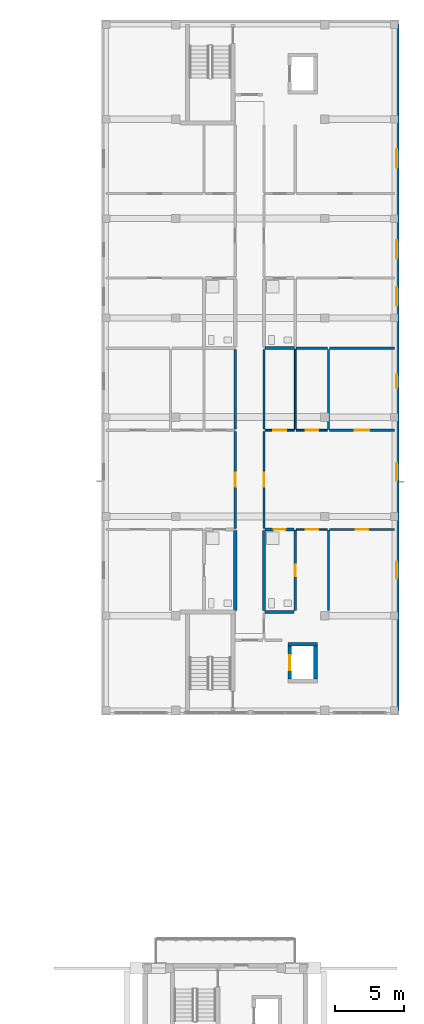
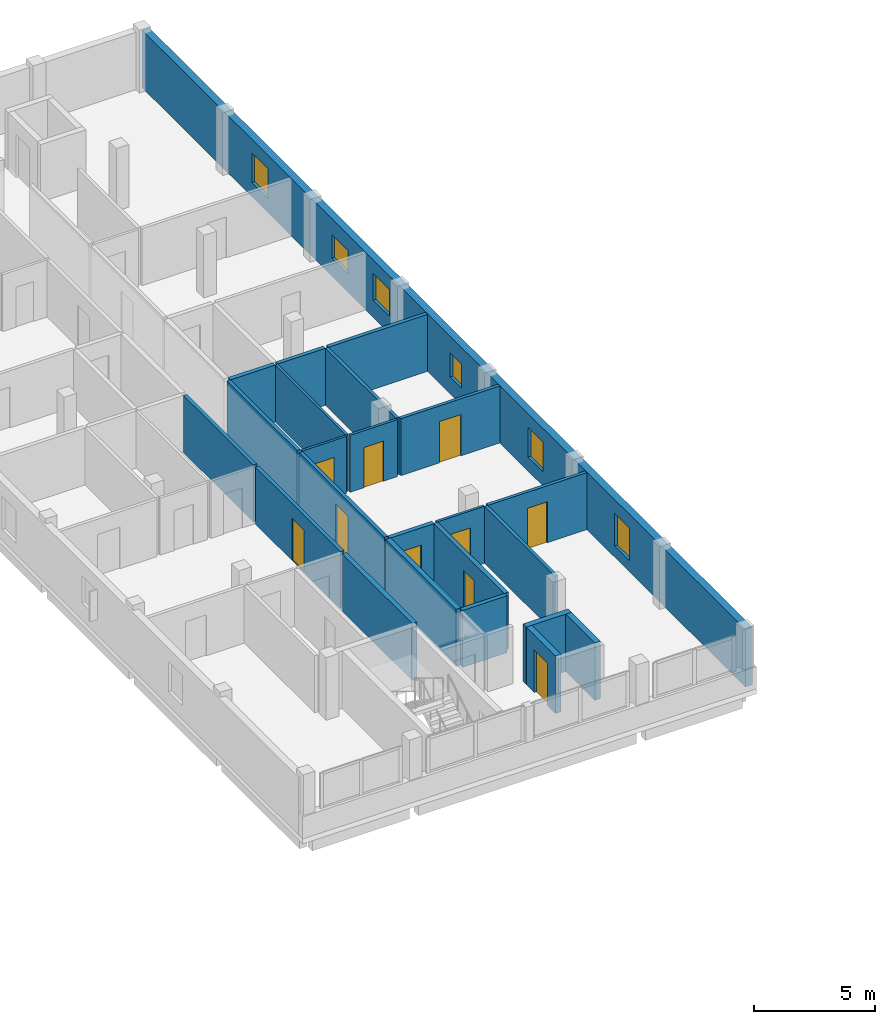
# One storey, part 20 of 34: 24 walls, 10 doors, 6 windows, 16 openings.
"""IFC4 building model written with IfcOpenShell, lengths in metres."""

from ifc_helpers import new_model, si_unit, derived_unit, direction, frame, frame_2d, origin, place, context, subcontext, project, spatial, rectangle, extrude, material, layer, layer_set, type_object, element, fill, save


model = new_model("IFC4")

# Units and contexts
model_context = context("Model", 3, precision=1e-05, world=origin(), true_north=direction((0.0, 1.0)))
body_context = subcontext(model_context, "Body", "Model", "MODEL_VIEW")
ifc_project = project(units=[si_unit("LENGTHUNIT", "METRE"), si_unit("AREAUNIT", "SQUARE_METRE"), si_unit("VOLUMEUNIT", "CUBIC_METRE"), si_unit("PLANEANGLEUNIT", "RADIAN"), si_unit("MASSUNIT", "GRAM", prefix="KILO"), derived_unit("THERMALTRANSMITTANCEUNIT", [(si_unit("MASSUNIT", "GRAM", prefix="KILO"), 1), (si_unit("TIMEUNIT", "SECOND"), -3), (si_unit("THERMODYNAMICTEMPERATUREUNIT", "KELVIN"), -1)])], contexts=[model_context])

# Site, building, storey
site_placement = place(None, origin())
site = spatial("IfcSite", under=ifc_project, at=site_placement, CompositionType="ELEMENT")
building_placement = place(site_placement, origin())
building = spatial("IfcBuilding", under=site, at=building_placement, Name="Ochrekiln Boulevard Commons", CompositionType="ELEMENT")
storey_placement = place(building_placement, frame((0.0, 0.0, 27.824951171875)))
storey = spatial("IfcBuildingStorey", under=building, at=storey_placement, Name="L08", CompositionType="ELEMENT", Elevation=27.824951171875)

# Wall, openings, windows
ifc_material_1 = material(Name="Iron-spot brown clinker brick masonry ASTM C216 Grade SW", Category="masonry")
ifc_layer_1 = layer(ifc_material_1, 0.340087890625)
ifc_layer_set_1 = layer_set([ifc_layer_1], Name="Iron-spot brown clinker brick masonry ASTM C216 Grade SW")
wall_type_1 = type_object("IfcWallType", Name="WL-EXT-IRON-340", PredefinedType="SOLIDWALL", material=ifc_layer_set_1)
wall_1_placement = place(storey_placement, frame((172.6298828125, 68.739990234375, 0.0), z_axis=(0.0, 0.0, 1.0), x_axis=(0.0, 1.0, 0.0)))
wall_1 = element("IfcWall", 1, at=wall_1_placement, inside=storey, type_object=wall_type_1, Name="Block B L08 E Exterior Wall", PredefinedType="SOLIDWALL", context=body_context, shape_type="SweptSolid", body=[
    extrude(rectangle(XDim=49.719970703125, YDim=0.340087890625, at=frame_2d((24.85986328125, 0.0))), origin(), (0.0, 0.0, 1.0), 2.89013671875),
])
opening_1_placement = place(wall_1_placement, frame((16.656982421875, 0.0, 0.705078125)))
opening_1 = element("IfcOpeningElement", 2, at=opening_1_placement, cuts=wall_1, Name="Opening W-18", PredefinedType="OPENING", context=body_context, shape_type="SweptSolid", body=[
    extrude(rectangle(XDim=1.25, YDim=1.5, at=frame_2d((0.625, 0.75))), frame((0.0, 0.179931640625, 0.0), z_axis=(0.0, -1.0, 0.0), x_axis=(1.0, 0.0, 0.0)), (0.0, 0.0, 1.0), 0.360107421875),
])
opening_2_placement = place(wall_1_placement, frame((9.528076171875, 0.0, 0.554931640625)))
opening_2 = element("IfcOpeningElement", 3, at=opening_2_placement, cuts=wall_1, Name="Opening W-19", PredefinedType="OPENING", context=body_context, shape_type="SweptSolid", body=[
    extrude(rectangle(XDim=1.25, YDim=1.64990234375, at=frame_2d((0.625, 0.824951171875))), frame((0.0, 0.179931640625, 0.0), z_axis=(0.0, -1.0, 0.0), x_axis=(1.0, 0.0, 0.0)), (0.0, 0.0, 1.0), 0.360107421875),
])
opening_3_placement = place(wall_1_placement, frame((23.37890625, 0.0, 0.85009765625)))
opening_3 = element("IfcOpeningElement", 4, at=opening_3_placement, cuts=wall_1, Name="Opening W-01", PredefinedType="OPENING", context=body_context, shape_type="SweptSolid", body=[
    extrude(rectangle(XDim=0.949951171875, YDim=1.199951171875, at=frame_2d((0.47509765625, 0.60009765625))), frame((0.0, 0.179931640625, 0.0), z_axis=(0.0, -1.0, 0.0), x_axis=(1.0, 0.0, 0.0)), (0.0, 0.0, 1.0), 0.360107421875),
])
opening_4_placement = place(wall_1_placement, frame((32.735107421875, 0.0, 0.89990234375)))
opening_4 = element("IfcOpeningElement", 5, at=opening_4_placement, cuts=wall_1, Name="Opening W-21", PredefinedType="OPENING", context=body_context, shape_type="SweptSolid", body=[
    extrude(rectangle(XDim=1.35009765625, YDim=1.199951171875, at=frame_2d((0.675048828125, 0.60009765625))), frame((0.0, 0.179931640625, 0.0), z_axis=(0.0, -1.0, 0.0), x_axis=(1.0, 0.0, 0.0)), (0.0, 0.0, 1.0), 0.360107421875),
])
opening_5_placement = place(wall_1_placement, frame((29.324951171875, 0.0, 0.85498046875)))
opening_5 = element("IfcOpeningElement", 6, at=opening_5_placement, cuts=wall_1, Name="Opening W-22", PredefinedType="OPENING", context=body_context, shape_type="SweptSolid", body=[
    extrude(rectangle(XDim=1.35009765625, YDim=1.35009765625, at=frame_2d((0.675048828125, 0.675048828125))), frame((0.0, 0.179931640625, 0.0), z_axis=(0.0, -1.0, 0.0), x_axis=(1.0, 0.0, 0.0)), (0.0, 0.0, 1.0), 0.360107421875),
])
opening_6_placement = place(wall_1_placement, frame((39.3291015625, 0.0, 0.705078125)))
opening_6 = element("IfcOpeningElement", 7, at=opening_6_placement, cuts=wall_1, Name="Opening W-23", PredefinedType="OPENING", context=body_context, shape_type="SweptSolid", body=[
    extrude(rectangle(XDim=1.35009765625, YDim=1.5, at=frame_2d((0.675048828125, 0.75))), frame((0.0, 0.179931640625, 0.0), z_axis=(0.0, -1.0, 0.0), x_axis=(1.0, 0.0, 0.0)), (0.0, 0.0, 1.0), 0.360107421875),
])
ifc_material_2 = material(Name="Thermally broken aluminium-clad oak frame", Category="aluminium")
window_type_1 = type_object("IfcWindowType", Name="WIN-EXT-01", PartitioningType="SINGLE_PANEL", PredefinedType="WINDOW", material=ifc_material_2)
window_1_placement = place(opening_3_placement, origin())
window_1 = element("IfcWindow", 8, at=window_1_placement, inside=storey, type_object=window_type_1, Name="Block B L08 Punched Masonry Window W-01", OverallHeight=1.199951171875, OverallWidth=0.949951171875, PartitioningType="SINGLE_PANEL", PredefinedType="WINDOW", context=body_context, shape_type="SweptSolid", body=[
    extrude(rectangle(XDim=0.949951171875, YDim=1.199951171875, at=frame_2d((0.47509765625, 0.60009765625))), frame((0.0, 0.030029296875, 0.0), z_axis=(0.0, -1.0, 0.0), x_axis=(1.0, 0.0, 0.0)), (0.0, 0.0, 1.0), 0.06005859375),
])
fill(opening_3, window_1)
window_type_2 = type_object("IfcWindowType", Name="WIN-EXT-18", PartitioningType="SINGLE_PANEL", PredefinedType="WINDOW", material=ifc_material_2)
window_2_placement = place(opening_1_placement, origin())
window_2 = element("IfcWindow", 9, at=window_2_placement, inside=storey, type_object=window_type_2, Name="Block B L08 Punched Masonry Window W-18", OverallHeight=1.5, OverallWidth=1.25, PartitioningType="SINGLE_PANEL", PredefinedType="WINDOW", context=body_context, shape_type="SweptSolid", body=[
    extrude(rectangle(XDim=1.25, YDim=1.5, at=frame_2d((0.625, 0.75))), frame((0.0, 0.030029296875, 0.0), z_axis=(0.0, -1.0, 0.0), x_axis=(1.0, 0.0, 0.0)), (0.0, 0.0, 1.0), 0.06005859375),
])
fill(opening_1, window_2)
window_type_3 = type_object("IfcWindowType", Name="WIN-EXT-19", PartitioningType="SINGLE_PANEL", PredefinedType="WINDOW", material=ifc_material_2)
window_3_placement = place(opening_2_placement, origin())
window_3 = element("IfcWindow", 10, at=window_3_placement, inside=storey, type_object=window_type_3, Name="Block B L08 Punched Masonry Window W-19", OverallHeight=1.64990234375, OverallWidth=1.25, PartitioningType="SINGLE_PANEL", PredefinedType="WINDOW", context=body_context, shape_type="SweptSolid", body=[
    extrude(rectangle(XDim=1.25, YDim=1.64990234375, at=frame_2d((0.625, 0.824951171875))), frame((0.0, 0.030029296875, 0.0), z_axis=(0.0, -1.0, 0.0), x_axis=(1.0, 0.0, 0.0)), (0.0, 0.0, 1.0), 0.06005859375),
])
fill(opening_2, window_3)
window_type_4 = type_object("IfcWindowType", Name="WIN-EXT-21", PartitioningType="SINGLE_PANEL", PredefinedType="WINDOW", material=ifc_material_2)
window_4_placement = place(opening_4_placement, origin())
window_4 = element("IfcWindow", 11, at=window_4_placement, inside=storey, type_object=window_type_4, Name="Block B L08 Punched Masonry Window W-21", OverallHeight=1.199951171875, OverallWidth=1.35009765625, PartitioningType="SINGLE_PANEL", PredefinedType="WINDOW", context=body_context, shape_type="SweptSolid", body=[
    extrude(rectangle(XDim=1.35009765625, YDim=1.199951171875, at=frame_2d((0.675048828125, 0.60009765625))), frame((0.0, 0.030029296875, 0.0), z_axis=(0.0, -1.0, 0.0), x_axis=(1.0, 0.0, 0.0)), (0.0, 0.0, 1.0), 0.06005859375),
])
fill(opening_4, window_4)
window_type_5 = type_object("IfcWindowType", Name="WIN-EXT-22", PartitioningType="SINGLE_PANEL", PredefinedType="WINDOW", material=ifc_material_2)
window_5_placement = place(opening_5_placement, origin())
window_5 = element("IfcWindow", 12, at=window_5_placement, inside=storey, type_object=window_type_5, Name="Block B L08 Punched Masonry Window W-22", OverallHeight=1.35009765625, OverallWidth=1.35009765625, PartitioningType="SINGLE_PANEL", PredefinedType="WINDOW", context=body_context, shape_type="SweptSolid", body=[
    extrude(rectangle(XDim=1.35009765625, YDim=1.35009765625, at=frame_2d((0.675048828125, 0.675048828125))), frame((0.0, 0.030029296875, 0.0), z_axis=(0.0, -1.0, 0.0), x_axis=(1.0, 0.0, 0.0)), (0.0, 0.0, 1.0), 0.06005859375),
])
fill(opening_5, window_5)
window_type_6 = type_object("IfcWindowType", Name="WIN-EXT-23", PartitioningType="SINGLE_PANEL", PredefinedType="WINDOW", material=ifc_material_2)
window_6_placement = place(opening_6_placement, origin())
window_6 = element("IfcWindow", 13, at=window_6_placement, inside=storey, type_object=window_type_6, Name="Block B L08 Punched Masonry Window W-23", OverallHeight=1.5, OverallWidth=1.35009765625, PartitioningType="SINGLE_PANEL", PredefinedType="WINDOW", context=body_context, shape_type="SweptSolid", body=[
    extrude(rectangle(XDim=1.35009765625, YDim=1.5, at=frame_2d((0.675048828125, 0.75))), frame((0.0, 0.030029296875, 0.0), z_axis=(0.0, -1.0, 0.0), x_axis=(1.0, 0.0, 0.0)), (0.0, 0.0, 1.0), 0.06005859375),
])
fill(opening_6, window_6)

# Wall
ifc_material_3 = material(Name="Moisture-resistant cementitious tile backer wall")
ifc_layer_2 = layer(ifc_material_3, 0.199951171875)
ifc_layer_set_2 = layer_set([ifc_layer_2], Name="Moisture-resistant cementitious tile backer wall")
wall_type_2 = type_object("IfcWallType", Name="WL-PLM-200", PredefinedType="PLUMBINGWALL", material=ifc_layer_set_2)
wall_2_placement = place(storey_placement, frame((163.072998046875, 75.875, 0.0), z_axis=(0.0, 0.0, 1.0), x_axis=(1.0, 0.0, 0.0)))
element("IfcWall", 14, at=wall_2_placement, inside=storey, type_object=wall_type_2, Name="L08 Interior Wall W-PW200", PredefinedType="PLUMBINGWALL", context=body_context, shape_type="SweptSolid", body=[
    extrude(rectangle(XDim=2.10693359375, YDim=0.199951171875, at=frame_2d((1.053466796875, 0.0))), origin(), (0.0, 0.0, 1.0), 2.8701171875),
])

# Wall, opening, door
wall_3_placement = place(storey_placement, frame((163.072998046875, 81.864990234375, 0.0), z_axis=(0.0, 0.0, 1.0), x_axis=(1.0, 0.0, 0.0)))
wall_3 = element("IfcWall", 15, at=wall_3_placement, inside=storey, type_object=wall_type_2, Name="L08 Interior Wall W-PW200", PredefinedType="PLUMBINGWALL", context=body_context, shape_type="SweptSolid", body=[
    extrude(rectangle(XDim=2.10693359375, YDim=0.199951171875, at=frame_2d((1.053466796875, 0.0))), origin(), (0.0, 0.0, 1.0), 2.8701171875),
])
opening_7_placement = place(wall_3_placement, frame((0.626953125, 0.0, 0.0)))
opening_7 = element("IfcOpeningElement", 16, at=opening_7_placement, cuts=wall_3, Name="Opening D-L08-1049", PredefinedType="OPENING", context=body_context, shape_type="SweptSolid", body=[
    extrude(rectangle(XDim=0.860107421875, YDim=2.0, at=frame_2d((0.43017578125, 1.0))), frame((0.0, 0.10986328125, 0.0), z_axis=(0.0, -1.0, 0.0), x_axis=(1.0, 0.0, 0.0)), (0.0, 0.0, 1.0), 0.219970703125),
])
ifc_material_4 = material(Name="Solid core architectural oak door leaf")
door_type_1 = type_object("IfcDoorType", Name="DR-INT-BTH-086", OperationType="NOTDEFINED", PredefinedType="DOOR", material=ifc_material_4)
door_1_placement = place(opening_7_placement, frame((0.860107421875, 0.0, 0.0), z_axis=(0.0, 0.0, 1.0), x_axis=(-1.0, 0.0, 0.0)))
door_1 = element("IfcDoor", 17, at=door_1_placement, inside=storey, type_object=door_type_1, Name="L08 Interior Door to Apartment Bathroom", OperationType="SINGLE_SWING_LEFT", OverallHeight=2.0, OverallWidth=0.860107421875, PredefinedType="DOOR", context=body_context, shape_type="SweptSolid", body=[
    extrude(rectangle(XDim=0.860107421875, YDim=2.0, at=frame_2d((0.43017578125, 1.0))), frame((0.0, 0.02490234375, 0.0), z_axis=(0.0, -1.0, 0.0), x_axis=(1.0, 0.0, 0.0)), (0.0, 0.0, 1.0), 0.050048828125),
])
fill(opening_7, door_1)

wall_4_placement = place(storey_placement, frame((165.260009765625, 75.97509765625, 0.0), z_axis=(0.0, 0.0, 1.0), x_axis=(0.0, 1.0, 0.0)))
wall_4 = element("IfcWall", 18, at=wall_4_placement, inside=storey, type_object=wall_type_2, Name="L08 Interior Wall W-PW200", PredefinedType="PLUMBINGWALL", context=body_context, shape_type="SweptSolid", body=[
    extrude(rectangle(XDim=5.829833984375, YDim=0.199951171875, at=frame_2d((2.9150390625, 0.0))), origin(), (0.0, 0.0, 1.0), 2.8701171875),
])
opening_8_placement = place(wall_4_placement, frame((2.492919921875, 0.0, 0.0)))
opening_8 = element("IfcOpeningElement", 19, at=opening_8_placement, cuts=wall_4, Name="Opening D-L08-1055", PredefinedType="OPENING", context=body_context, shape_type="SweptSolid", body=[
    extrude(rectangle(XDim=0.85009765625, YDim=2.010009765625, at=frame_2d((0.425048828125, 1.0048828125))), frame((0.0, 0.10986328125, 0.0), z_axis=(0.0, -1.0, 0.0), x_axis=(1.0, 0.0, 0.0)), (0.0, 0.0, 1.0), 0.219970703125),
])
door_type_2 = type_object("IfcDoorType", Name="DR-INT-KIT-085", OperationType="NOTDEFINED", PredefinedType="DOOR", material=ifc_material_4)
door_2_placement = place(opening_8_placement, origin())
door_2 = element("IfcDoor", 20, at=door_2_placement, inside=storey, type_object=door_type_2, Name="L08 Interior Door to Apartment Bathroom", OperationType="SINGLE_SWING_LEFT", OverallHeight=2.010009765625, OverallWidth=0.85009765625, PredefinedType="DOOR", context=body_context, shape_type="SweptSolid", body=[
    extrude(rectangle(XDim=0.85009765625, YDim=2.010009765625, at=frame_2d((0.425048828125, 1.0048828125))), frame((0.0, 0.02490234375, 0.0), z_axis=(0.0, -1.0, 0.0), x_axis=(1.0, 0.0, 0.0)), (0.0, 0.0, 1.0), 0.050048828125),
])
fill(opening_8, door_2)

# Walls
wall_5_placement = place(storey_placement, frame((163.072998046875, 95.008056640625, 0.0), z_axis=(0.0, 0.0, 1.0), x_axis=(1.0, 0.0, 0.0)))
element("IfcWall", 21, at=wall_5_placement, inside=storey, type_object=wall_type_2, Name="L08 Interior Wall W-PW200", PredefinedType="PLUMBINGWALL", context=body_context, shape_type="SweptSolid", body=[
    extrude(rectangle(XDim=2.126953125, YDim=0.199951171875, at=frame_2d((1.0634765625, 0.0))), origin(), (0.0, 0.0, 1.0), 2.8701171875),
])
ifc_layer_3 = layer(ifc_material_3, 0.219970703125)
ifc_layer_set_3 = layer_set([ifc_layer_3], Name="Moisture-resistant cementitious tile backer wall")
wall_type_3 = type_object("IfcWallType", Name="WL-PLM-220", PredefinedType="PLUMBINGWALL", material=ifc_layer_set_3)
wall_6_placement = place(storey_placement, frame((160.909912109375, 76.0, 0.0), z_axis=(0.0, 0.0, 1.0), x_axis=(0.0, 1.0, 0.0)))
element("IfcWall", 22, at=wall_6_placement, inside=storey, type_object=wall_type_3, Name="L08 Interior Wall W-PW220", PredefinedType="PLUMBINGWALL", context=body_context, shape_type="SweptSolid", body=[
    extrude(rectangle(XDim=5.784912109375, YDim=0.219970703125, at=frame_2d((2.892578125, 0.0))), origin(), (0.0, 0.0, 1.0), 2.8701171875),
])
wall_7_placement = place(storey_placement, frame((162.989990234375, 75.97509765625, 0.0), z_axis=(0.0, 0.0, 1.0), x_axis=(0.0, 1.0, 0.0)))
element("IfcWall", 23, at=wall_7_placement, inside=storey, type_object=wall_type_3, Name="L08 Interior Wall W-PW220", PredefinedType="PLUMBINGWALL", context=body_context, shape_type="SweptSolid", body=[
    extrude(rectangle(XDim=5.809814453125, YDim=0.219970703125, at=frame_2d((2.90478515625, 0.0))), origin(), (0.0, 0.0, 1.0), 2.8701171875),
])

# Wall, opening, door
ifc_material_5 = material(Name="Fire-rated Type X gypsum board on steel studs", Category="steel")
ifc_layer_4 = layer(ifc_material_5, 0.1650390625)
ifc_layer_set_4 = layer_set([ifc_layer_4], Name="Fire-rated Type X gypsum board on steel studs")
wall_type_4 = type_object("IfcWallType", Name="WL-PT-CORR-165", PredefinedType="PARTITIONING", material=ifc_layer_set_4)
wall_8_placement = place(storey_placement, frame((160.909912109375, 81.945068359375, 0.0), z_axis=(0.0, 0.0, 1.0), x_axis=(0.0, 1.0, 0.0)))
wall_8 = element("IfcWall", 24, at=wall_8_placement, inside=storey, type_object=wall_type_4, Name="L08 Interior Wall W-PC165", PredefinedType="PARTITIONING", context=body_context, shape_type="SweptSolid", body=[
    extrude(rectangle(XDim=7.02783203125, YDim=0.1650390625, at=frame_2d((3.513916015625, 0.0))), origin(), (0.0, 0.0, 1.0), 2.8701171875),
])
opening_9_placement = place(wall_8_placement, frame((3.009033203125, 0.0, 0.0)))
opening_9 = element("IfcOpeningElement", 25, at=opening_9_placement, cuts=wall_8, Name="Opening D-L08-1034", PredefinedType="OPENING", context=body_context, shape_type="SweptSolid", body=[
    extrude(rectangle(XDim=1.010009765625, YDim=2.110107421875, at=frame_2d((0.5048828125, 1.05517578125))), frame((0.0, 0.092529296875, 0.0), z_axis=(0.0, -1.0, 0.0), x_axis=(1.0, 0.0, 0.0)), (0.0, 0.0, 1.0), 0.18505859375),
])
door_type_3 = type_object("IfcDoorType", Name="DR-INT-APT-101", OperationType="NOTDEFINED", PredefinedType="DOOR", material=ifc_material_4)
door_3_placement = place(opening_9_placement, origin())
door_3 = element("IfcDoor", 26, at=door_3_placement, inside=storey, type_object=door_type_3, Name="L08 Interior Door to Two-Bedroom Apartment Living Room", OperationType="SINGLE_SWING_RIGHT", OverallHeight=2.110107421875, OverallWidth=1.010009765625, PredefinedType="DOOR", context=body_context, shape_type="SweptSolid", body=[
    extrude(rectangle(XDim=1.010009765625, YDim=2.110107421875, at=frame_2d((0.5048828125, 1.05517578125))), frame((0.0, 0.02490234375, 0.0), z_axis=(0.0, -1.0, 0.0), x_axis=(1.0, 0.0, 0.0)), (0.0, 0.0, 1.0), 0.050048828125),
])
fill(opening_9, door_3)

# Wall
wall_9_placement = place(storey_placement, frame((160.909912109375, 89.133056640625, 0.0), z_axis=(0.0, 0.0, 1.0), x_axis=(0.0, 1.0, 0.0)))
element("IfcWall", 27, at=wall_9_placement, inside=storey, type_object=wall_type_4, Name="L08 Interior Wall W-PC165", PredefinedType="PARTITIONING", context=body_context, shape_type="SweptSolid", body=[
    extrude(rectangle(XDim=5.784912109375, YDim=0.1650390625, at=frame_2d((2.892578125, 0.0))), origin(), (0.0, 0.0, 1.0), 2.8701171875),
])

# Wall, opening, door
wall_10_placement = place(storey_placement, frame((162.989990234375, 81.945068359375, 0.0), z_axis=(0.0, 0.0, 1.0), x_axis=(0.0, 1.0, 0.0)))
wall_10 = element("IfcWall", 28, at=wall_10_placement, inside=storey, type_object=wall_type_4, Name="L08 Interior Wall W-PC165", PredefinedType="PARTITIONING", context=body_context, shape_type="SweptSolid", body=[
    extrude(rectangle(XDim=7.02783203125, YDim=0.1650390625, at=frame_2d((3.513916015625, 0.0))), origin(), (0.0, 0.0, 1.0), 2.8701171875),
])
opening_10_placement = place(wall_10_placement, frame((3.009033203125, 0.0, 0.0)))
opening_10 = element("IfcOpeningElement", 29, at=opening_10_placement, cuts=wall_10, Name="Opening D-L08-1036", PredefinedType="OPENING", context=body_context, shape_type="SweptSolid", body=[
    extrude(rectangle(XDim=1.010009765625, YDim=2.110107421875, at=frame_2d((0.5048828125, 1.05517578125))), frame((0.0, 0.092529296875, 0.0), z_axis=(0.0, -1.0, 0.0), x_axis=(1.0, 0.0, 0.0)), (0.0, 0.0, 1.0), 0.18505859375),
])
door_4_placement = place(opening_10_placement, frame((1.010009765625, 0.0, 0.0), z_axis=(0.0, 0.0, 1.0), x_axis=(-1.0, 0.0, 0.0)))
door_4 = element("IfcDoor", 30, at=door_4_placement, inside=storey, type_object=door_type_3, Name="L08 Interior Door to Two-Bedroom Apartment Living Room", OperationType="SINGLE_SWING_RIGHT", OverallHeight=2.110107421875, OverallWidth=1.010009765625, PredefinedType="DOOR", context=body_context, shape_type="SweptSolid", body=[
    extrude(rectangle(XDim=1.010009765625, YDim=2.110107421875, at=frame_2d((0.5048828125, 1.05517578125))), frame((0.0, 0.02490234375, 0.0), z_axis=(0.0, -1.0, 0.0), x_axis=(1.0, 0.0, 0.0)), (0.0, 0.0, 1.0), 0.050048828125),
])
fill(opening_10, door_4)

# Walls
wall_11_placement = place(storey_placement, frame((162.989990234375, 89.133056640625, 0.0), z_axis=(0.0, 0.0, 1.0), x_axis=(0.0, 1.0, 0.0)))
element("IfcWall", 31, at=wall_11_placement, inside=storey, type_object=wall_type_4, Name="L08 Interior Wall W-PC165", PredefinedType="PARTITIONING", context=body_context, shape_type="SweptSolid", body=[
    extrude(rectangle(XDim=5.784912109375, YDim=0.1650390625, at=frame_2d((2.892578125, 0.0))), origin(), (0.0, 0.0, 1.0), 2.8701171875),
])
ifc_layer_5 = layer(ifc_material_5, 0.179931640625)
ifc_layer_set_5 = layer_set([ifc_layer_5], Name="Fire-rated Type X gypsum board on steel studs")
wall_type_5 = type_object("IfcWallType", Name="WL-PT-DEM-180", PredefinedType="PARTITIONING", material=ifc_layer_set_5)
wall_12_placement = place(storey_placement, frame((167.7451171875, 95.008056640625, 0.0), z_axis=(0.0, 0.0, 1.0), x_axis=(1.0, 0.0, 0.0)))
element("IfcWall", 32, at=wall_12_placement, inside=storey, type_object=wall_type_5, Name="L08 Interior Wall W-PD180", PredefinedType="PARTITIONING", context=body_context, shape_type="SweptSolid", body=[
    extrude(rectangle(XDim=4.71484375, YDim=0.179931640625, at=frame_2d((2.357421875, 0.0))), origin(), (0.0, 0.0, 1.0), 2.8701171875),
])
wall_13_placement = place(storey_placement, frame((165.320068359375, 95.008056640625, 0.0), z_axis=(0.0, 0.0, 1.0), x_axis=(1.0, 0.0, 0.0)))
element("IfcWall", 33, at=wall_13_placement, inside=storey, type_object=wall_type_5, Name="L08 Interior Wall W-PD180", PredefinedType="PARTITIONING", context=body_context, shape_type="SweptSolid", body=[
    extrude(rectangle(XDim=2.27001953125, YDim=0.179931640625, at=frame_2d((1.135009765625, 0.0))), origin(), (0.0, 0.0, 1.0), 2.8701171875),
])

# Wall, opening, door
ifc_layer_6 = layer(ifc_material_5, 0.1201171875)
ifc_layer_set_6 = layer_set([ifc_layer_6], Name="Fire-rated Type X gypsum board on steel studs")
wall_type_6 = type_object("IfcWallType", Name="WL-PT-LGT-120", PredefinedType="PARTITIONING", material=ifc_layer_set_6)
wall_14_placement = place(storey_placement, frame((163.072998046875, 89.052978515625, 0.0), z_axis=(0.0, 0.0, 1.0), x_axis=(1.0, 0.0, 0.0)))
wall_14 = element("IfcWall", 34, at=wall_14_placement, inside=storey, type_object=wall_type_6, Name="L08 Interior Wall W-PL120", PredefinedType="PARTITIONING", context=body_context, shape_type="SweptSolid", body=[
    extrude(rectangle(XDim=2.10693359375, YDim=0.1201171875, at=frame_2d((1.053466796875, 0.0))), origin(), (0.0, 0.0, 1.0), 2.8701171875),
])
opening_11_placement = place(wall_14_placement, frame((0.596923828125, 0.0, 0.0)))
opening_11 = element("IfcOpeningElement", 35, at=opening_11_placement, cuts=wall_14, Name="Opening D-L08-1050", PredefinedType="OPENING", context=body_context, shape_type="SweptSolid", body=[
    extrude(rectangle(XDim=0.919921875, YDim=2.02001953125, at=frame_2d((0.4599609375, 1.010009765625))), frame((0.0, 0.070068359375, 0.0), z_axis=(0.0, -1.0, 0.0), x_axis=(1.0, 0.0, 0.0)), (0.0, 0.0, 1.0), 0.14013671875),
])
door_type_4 = type_object("IfcDoorType", Name="DR-INT-KIT-092", OperationType="NOTDEFINED", PredefinedType="DOOR", material=ifc_material_4)
door_5_placement = place(opening_11_placement, origin())
door_5 = element("IfcDoor", 36, at=door_5_placement, inside=storey, type_object=door_type_4, Name="L08 Interior Door to Apartment Kitchen", OperationType="SINGLE_SWING_RIGHT", OverallHeight=2.02001953125, OverallWidth=0.919921875, PredefinedType="DOOR", context=body_context, shape_type="SweptSolid", body=[
    extrude(rectangle(XDim=0.919921875, YDim=2.02001953125, at=frame_2d((0.4599609375, 1.010009765625))), frame((0.0, 0.02490234375, 0.0), z_axis=(0.0, -1.0, 0.0), x_axis=(1.0, 0.0, 0.0)), (0.0, 0.0, 1.0), 0.050048828125),
])
fill(opening_11, door_5)

wall_15_placement = place(storey_placement, frame((165.340087890625, 81.864990234375, 0.0), z_axis=(0.0, 0.0, 1.0), x_axis=(1.0, 0.0, 0.0)))
wall_15 = element("IfcWall", 37, at=wall_15_placement, inside=storey, type_object=wall_type_6, Name="L08 Interior Wall W-PL120", PredefinedType="PARTITIONING", context=body_context, shape_type="SweptSolid", body=[
    extrude(rectangle(XDim=2.25, YDim=0.1201171875, at=frame_2d((1.125, 0.0))), origin(), (0.0, 0.0, 1.0), 2.8701171875),
])
opening_12_placement = place(wall_15_placement, frame((0.6650390625, 0.0, 0.0)))
opening_12 = element("IfcOpeningElement", 38, at=opening_12_placement, cuts=wall_15, Name="Opening D-L08-1052", PredefinedType="OPENING", context=body_context, shape_type="SweptSolid", body=[
    extrude(rectangle(XDim=0.919921875, YDim=2.02001953125, at=frame_2d((0.4599609375, 1.010009765625))), frame((0.0, 0.070068359375, 0.0), z_axis=(0.0, -1.0, 0.0), x_axis=(1.0, 0.0, 0.0)), (0.0, 0.0, 1.0), 0.14013671875),
])
door_6_placement = place(opening_12_placement, frame((0.919921875, 0.0, 0.0), z_axis=(0.0, 0.0, 1.0), x_axis=(-1.0, 0.0, 0.0)))
door_6 = element("IfcDoor", 39, at=door_6_placement, inside=storey, type_object=door_type_4, Name="L08 Interior Door to Apartment Walk-In Wardrobe", OperationType="SINGLE_SWING_RIGHT", OverallHeight=2.02001953125, OverallWidth=0.919921875, PredefinedType="DOOR", context=body_context, shape_type="SweptSolid", body=[
    extrude(rectangle(XDim=0.919921875, YDim=2.02001953125, at=frame_2d((0.4599609375, 1.010009765625))), frame((0.0, 0.02490234375, 0.0), z_axis=(0.0, -1.0, 0.0), x_axis=(1.0, 0.0, 0.0)), (0.0, 0.0, 1.0), 0.050048828125),
])
fill(opening_12, door_6)

wall_16_placement = place(storey_placement, frame((165.340087890625, 89.052978515625, 0.0), z_axis=(0.0, 0.0, 1.0), x_axis=(1.0, 0.0, 0.0)))
wall_16 = element("IfcWall", 40, at=wall_16_placement, inside=storey, type_object=wall_type_6, Name="L08 Interior Wall W-PL120", PredefinedType="PARTITIONING", context=body_context, shape_type="SweptSolid", body=[
    extrude(rectangle(XDim=2.25, YDim=0.1201171875, at=frame_2d((1.125, 0.0))), origin(), (0.0, 0.0, 1.0), 2.8701171875),
])
opening_13_placement = place(wall_16_placement, frame((0.6650390625, 0.0, 0.0)))
opening_13 = element("IfcOpeningElement", 41, at=opening_13_placement, cuts=wall_16, Name="Opening D-L08-1054", PredefinedType="OPENING", context=body_context, shape_type="SweptSolid", body=[
    extrude(rectangle(XDim=0.919921875, YDim=2.02001953125, at=frame_2d((0.4599609375, 1.010009765625))), frame((0.0, 0.070068359375, 0.0), z_axis=(0.0, -1.0, 0.0), x_axis=(1.0, 0.0, 0.0)), (0.0, 0.0, 1.0), 0.14013671875),
])
door_7_placement = place(opening_13_placement, origin())
door_7 = element("IfcDoor", 42, at=door_7_placement, inside=storey, type_object=door_type_4, Name="L08 Interior Door to Apartment Walk-In Wardrobe", OperationType="SINGLE_SWING_RIGHT", OverallHeight=2.02001953125, OverallWidth=0.919921875, PredefinedType="DOOR", context=body_context, shape_type="SweptSolid", body=[
    extrude(rectangle(XDim=0.919921875, YDim=2.02001953125, at=frame_2d((0.4599609375, 1.010009765625))), frame((0.0, 0.02490234375, 0.0), z_axis=(0.0, -1.0, 0.0), x_axis=(1.0, 0.0, 0.0)), (0.0, 0.0, 1.0), 0.050048828125),
])
fill(opening_13, door_7)

# Wall
wall_17_placement = place(storey_placement, frame((165.260009765625, 89.113037109375, 0.0), z_axis=(0.0, 0.0, 1.0), x_axis=(0.0, 1.0, 0.0)))
element("IfcWall", 43, at=wall_17_placement, inside=storey, type_object=wall_type_6, Name="L08 Interior Wall W-PL120", PredefinedType="PARTITIONING", context=body_context, shape_type="SweptSolid", body=[
    extrude(rectangle(XDim=5.804931640625, YDim=0.1201171875, at=frame_2d((2.90234375, 0.0))), origin(), (0.0, 0.0, 1.0), 2.8701171875),
])

# Wall, opening, door
ifc_layer_7 = layer(ifc_material_5, 0.14990234375)
ifc_layer_set_7 = layer_set([ifc_layer_7], Name="Fire-rated Type X gypsum board on steel studs")
wall_type_7 = type_object("IfcWallType", Name="WL-PT-STD-150", PredefinedType="PARTITIONING", material=ifc_layer_set_7)
wall_18_placement = place(storey_placement, frame((167.75, 81.864990234375, 0.0), z_axis=(0.0, 0.0, 1.0), x_axis=(1.0, 0.0, 0.0)))
wall_18 = element("IfcWall", 44, at=wall_18_placement, inside=storey, type_object=wall_type_7, Name="L08 Interior Wall W-PS150", PredefinedType="PARTITIONING", context=body_context, shape_type="SweptSolid", body=[
    extrude(rectangle(XDim=4.7099609375, YDim=0.14990234375, at=frame_2d((2.35498046875, 0.0))), origin(), (0.0, 0.0, 1.0), 2.8701171875),
])
opening_14_placement = place(wall_18_placement, frame((1.8798828125, 0.0, 0.0)))
opening_14 = element("IfcOpeningElement", 45, at=opening_14_placement, cuts=wall_18, Name="Opening D-L08-1051", PredefinedType="OPENING", context=body_context, shape_type="SweptSolid", body=[
    extrude(rectangle(XDim=0.93994140625, YDim=2.06005859375, at=frame_2d((0.469970703125, 1.030029296875))), frame((0.0, 0.0849609375, 0.0), z_axis=(0.0, -1.0, 0.0), x_axis=(1.0, 0.0, 0.0)), (0.0, 0.0, 1.0), 0.169921875),
])
door_type_5 = type_object("IfcDoorType", Name="DR-INT-BED-094", OperationType="NOTDEFINED", PredefinedType="DOOR", material=ifc_material_4)
door_8_placement = place(opening_14_placement, frame((0.93994140625, 0.0, 0.0), z_axis=(0.0, 0.0, 1.0), x_axis=(-1.0, 0.0, 0.0)))
door_8 = element("IfcDoor", 46, at=door_8_placement, inside=storey, type_object=door_type_5, Name="L08 Interior Door to Primary Apartment Bedroom", OperationType="SINGLE_SWING_LEFT", OverallHeight=2.06005859375, OverallWidth=0.93994140625, PredefinedType="DOOR", context=body_context, shape_type="SweptSolid", body=[
    extrude(rectangle(XDim=0.93994140625, YDim=2.06005859375, at=frame_2d((0.469970703125, 1.030029296875))), frame((0.0, 0.02490234375, 0.0), z_axis=(0.0, -1.0, 0.0), x_axis=(1.0, 0.0, 0.0)), (0.0, 0.0, 1.0), 0.050048828125),
])
fill(opening_14, door_8)

wall_19_placement = place(storey_placement, frame((167.75, 89.052978515625, 0.0), z_axis=(0.0, 0.0, 1.0), x_axis=(1.0, 0.0, 0.0)))
wall_19 = element("IfcWall", 47, at=wall_19_placement, inside=storey, type_object=wall_type_7, Name="L08 Interior Wall W-PS150", PredefinedType="PARTITIONING", context=body_context, shape_type="SweptSolid", body=[
    extrude(rectangle(XDim=4.7099609375, YDim=0.14990234375, at=frame_2d((2.35498046875, 0.0))), origin(), (0.0, 0.0, 1.0), 2.8701171875),
])
opening_15_placement = place(wall_19_placement, frame((1.830078125, 0.0, 0.0)))
opening_15 = element("IfcOpeningElement", 48, at=opening_15_placement, cuts=wall_19, Name="Opening D-L08-1053", PredefinedType="OPENING", context=body_context, shape_type="SweptSolid", body=[
    extrude(rectangle(XDim=1.0400390625, YDim=2.080078125, at=frame_2d((0.52001953125, 1.0400390625))), frame((0.0, 0.0849609375, 0.0), z_axis=(0.0, -1.0, 0.0), x_axis=(1.0, 0.0, 0.0)), (0.0, 0.0, 1.0), 0.169921875),
])
door_type_6 = type_object("IfcDoorType", Name="DR-INT-BED-104", OperationType="NOTDEFINED", PredefinedType="DOOR", material=ifc_material_4)
door_9_placement = place(opening_15_placement, origin())
door_9 = element("IfcDoor", 49, at=door_9_placement, inside=storey, type_object=door_type_6, Name="L08 Interior Door to Secondary Apartment Bedroom", OperationType="SINGLE_SWING_LEFT", OverallHeight=2.080078125, OverallWidth=1.0400390625, PredefinedType="DOOR", context=body_context, shape_type="SweptSolid", body=[
    extrude(rectangle(XDim=1.0400390625, YDim=2.080078125, at=frame_2d((0.52001953125, 1.0400390625))), frame((0.0, 0.02490234375, 0.0), z_axis=(0.0, -1.0, 0.0), x_axis=(1.0, 0.0, 0.0)), (0.0, 0.0, 1.0), 0.050048828125),
])
fill(opening_15, door_9)

# Walls
for number, where, z_axis, x_axis, name in (
    (50, (167.669921875, 76.0, 0.0), (0.0, 0.0, 1.0), (0.0, 1.0, 0.0), "L08 Interior Wall W-PS150"),
    (51, (167.669921875, 89.113037109375, 0.0), (0.0, 0.0, 1.0), (0.0, 1.0, 0.0), "L08 Interior Wall W-PS150"),
):
    element("IfcWall", number, at=place(storey_placement, frame(where, z_axis=z_axis, x_axis=x_axis)), inside=storey, type_object=wall_type_7, Name=name, PredefinedType="PARTITIONING", context=body_context, shape_type="SweptSolid", body=[
        extrude(rectangle(XDim=5.804931640625, YDim=0.14990234375, at=frame_2d((2.90234375, 0.0))), origin(), (0.0, 0.0, 1.0), 2.8701171875),
    ])
ifc_material_6 = material(Name="Concrete C40/50", Category="concrete")
ifc_layer_8 = layer(ifc_material_6, 0.27490234375)
ifc_layer_set_8 = layer_set([ifc_layer_8], Name="Concrete C40/50")
wall_type_8 = type_object("IfcWallType", Name="WL-SH-275", PredefinedType="SHEAR", material=ifc_layer_set_8)
wall_20_placement = place(storey_placement, frame((164.72509765625, 73.53759765625, 0.0), z_axis=(0.0, 0.0, 1.0), x_axis=(1.0, 0.0, 0.0)))
element("IfcWall", 52, at=wall_20_placement, inside=storey, type_object=wall_type_8, Name="Elevator FF-B1 L08 Hoistway Shear Wall", PredefinedType="SHEAR", context=body_context, shape_type="SweptSolid", body=[
    extrude(rectangle(XDim=2.14990234375, YDim=0.27490234375, at=frame_2d((1.074951171875, 0.0))), origin(), (0.0, 0.0, 1.0), 2.89013671875),
])

# Wall, opening, door
wall_21_placement = place(storey_placement, frame((164.862548828125, 71.0, 0.0), z_axis=(0.0, 0.0, 1.0), x_axis=(0.0, 1.0, 0.0)))
wall_21 = element("IfcWall", 53, at=wall_21_placement, inside=storey, type_object=wall_type_8, Name="Elevator FF-B1 L08 Hoistway Shear Wall", PredefinedType="SHEAR", context=body_context, shape_type="SweptSolid", body=[
    extrude(rectangle(XDim=2.39990234375, YDim=0.27490234375, at=frame_2d((1.199951171875, 0.0))), origin(), (0.0, 0.0, 1.0), 2.89013671875),
])
opening_16_placement = place(wall_21_placement, frame((0.64990234375, 0.0, 0.0)))
opening_16 = element("IfcOpeningElement", 54, at=opening_16_placement, cuts=wall_21, Name="Opening LD-FF-B1-L08", PredefinedType="OPENING", context=body_context, shape_type="SweptSolid", body=[
    extrude(rectangle(XDim=1.10009765625, YDim=2.14990234375, at=frame_2d((0.550048828125, 1.074951171875))), frame((0.0, 0.1474609375, 0.0), z_axis=(0.0, -1.0, 0.0), x_axis=(1.0, 0.0, 0.0)), (0.0, 0.0, 1.0), 0.294921875),
])
ifc_material_7 = material(Name="Brushed stainless steel 316 elevator cab and doors", Category="steel")
door_type_7 = type_object("IfcDoorType", Name="DR-LIFT-LD90", OperationType="SLIDING_TO_LEFT", PredefinedType="DOOR", material=ifc_material_7)
door_10_placement = place(opening_16_placement, origin())
door_10 = element("IfcDoor", 55, at=door_10_placement, inside=storey, type_object=door_type_7, Name="Elevator FF-B1 L08 Sliding Landing Door LD-FF-B1-L08", OperationType="SLIDING_TO_LEFT", OverallHeight=2.14990234375, OverallWidth=1.10009765625, PredefinedType="DOOR", context=body_context, shape_type="SweptSolid", body=[
    extrude(rectangle(XDim=1.10009765625, YDim=2.14990234375, at=frame_2d((0.550048828125, 1.074951171875))), frame((0.0, 0.02490234375, 0.0), z_axis=(0.0, -1.0, 0.0), x_axis=(1.0, 0.0, 0.0)), (0.0, 0.0, 1.0), 0.050048828125),
])
fill(opening_16, door_10)

# Wall
wall_22_placement = place(storey_placement, frame((166.737548828125, 71.0, 0.0), z_axis=(0.0, 0.0, 1.0), x_axis=(0.0, 1.0, 0.0)))
element("IfcWall", 56, at=wall_22_placement, inside=storey, type_object=wall_type_8, Name="Elevator FF-B1 L08 Hoistway Shear Wall", PredefinedType="SHEAR", context=body_context, shape_type="SweptSolid", body=[
    extrude(rectangle(XDim=2.39990234375, YDim=0.27490234375, at=frame_2d((1.199951171875, 0.0))), origin(), (0.0, 0.0, 1.0), 2.89013671875),
])

save(model, "model.ifc")
